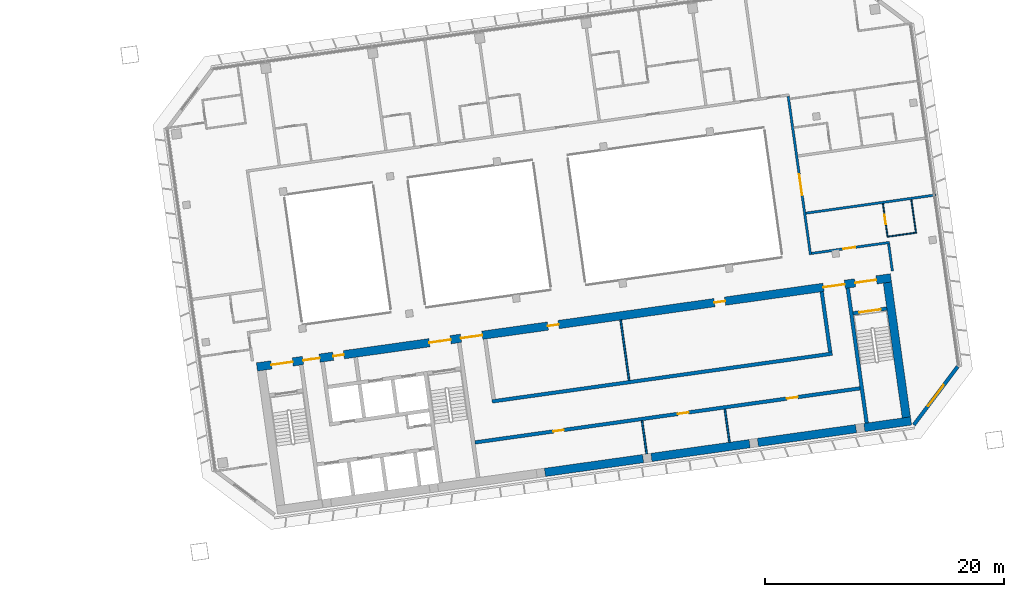
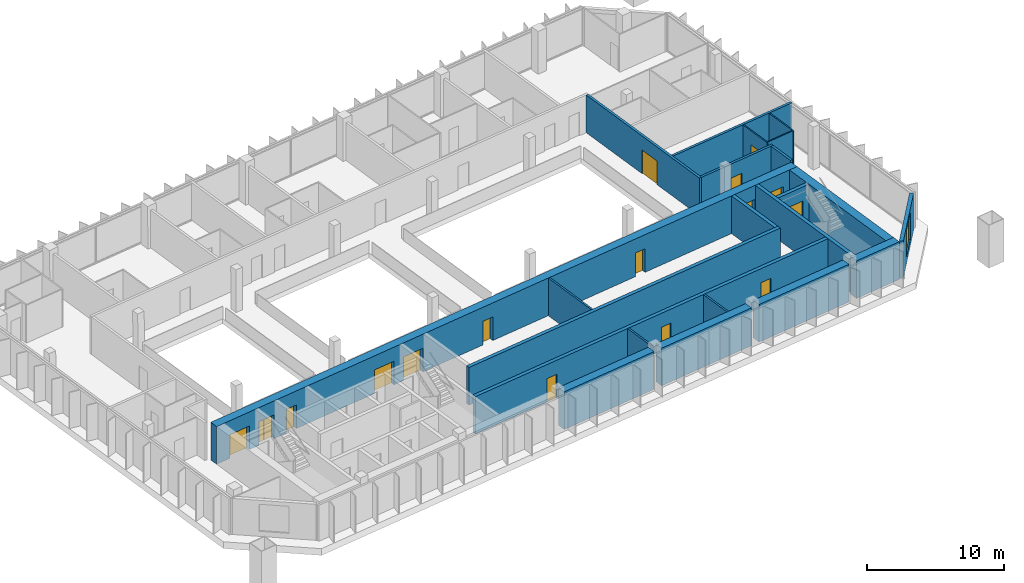
# One storey, part 20 of 26: 22 walls, 16 doors, 1 window, 17 openings.
"""IFC4 building model written with IfcOpenShell, lengths in metres."""

from ifc_helpers import new_model, si_unit, direction, frame, frame_2d, origin, place, context, subcontext, project, spatial, rectangle, extrude, material, layer, layer_set, type_object, element, fill, save


model = new_model("IFC4")

# Units and contexts
model_context = context("Model", 3, precision=1e-05, world=origin(), true_north=direction((0.0, 1.0)))
body_context = subcontext(model_context, "Body", "Model", "MODEL_VIEW")
ifc_project = project(units=[si_unit("LENGTHUNIT", "METRE"), si_unit("AREAUNIT", "SQUARE_METRE"), si_unit("VOLUMEUNIT", "CUBIC_METRE"), si_unit("PLANEANGLEUNIT", "RADIAN"), si_unit("MASSUNIT", "GRAM", prefix="KILO")], contexts=[model_context])

# Site, building, storey
site_placement = place(None, origin())
site = spatial("IfcSite", under=ifc_project, at=site_placement, CompositionType="ELEMENT")
building_placement = place(site_placement, origin())
building = spatial("IfcBuilding", under=site, at=building_placement, Name="Mirante Cascada Hotel Towers", CompositionType="ELEMENT")
storey_placement = place(building_placement, frame((0.0, 0.0, 161.2)))
storey = spatial("IfcBuildingStorey", under=building, at=storey_placement, Name="L37", CompositionType="ELEMENT", Elevation=161.2)

# Wall, opening, door
ifc_material_1 = material(Name="Fire-rated plasterboard on metal studs")
ifc_layer_1 = layer(ifc_material_1, 0.2)
ifc_layer_set_1 = layer_set([ifc_layer_1], Name="Compartment wall 200 EI 120")
wall_type_1 = type_object("IfcWallType", Name="Compartment wall 200 EI 120", PredefinedType="PARTITIONING", material=ifc_layer_set_1)
wall_1_placement = place(storey_placement, frame((81.9671, 1.8701, 0.0), z_axis=(0.0, 0.0, 1.0), x_axis=(0.990269, 0.1391661, 0.0)))
wall_1 = element("IfcWall", 1, at=wall_1_placement, inside=storey, type_object=wall_type_1, Name="Wall 2-L37-04", PredefinedType="PARTITIONING", context=body_context, shape_type="SweptSolid", body=[
    extrude(rectangle(XDim=6.6, YDim=0.2, at=frame_2d((3.3, 0.0))), origin(), (0.0, 0.0, 1.0), 3.35),
])
opening_1_placement = place(wall_1_placement, frame((2.7, 0.0, 0.0)))
opening_1 = element("IfcOpeningElement", 2, at=opening_1_placement, cuts=wall_1, Name="Opening D2-L37-03", PredefinedType="OPENING", context=body_context, shape_type="SweptSolid", body=[
    extrude(rectangle(XDim=1.0, YDim=2.1, at=frame_2d((0.5, 1.05))), frame((0.0, 0.1, 0.0), z_axis=(0.0, -1.0, 0.0), x_axis=(1.0, 0.0, 0.0)), (0.0, 0.0, 1.0), 0.2),
])
ifc_material_2 = material(Name="Fire-rated timber door leaf", Category="wood")
door_type_1 = type_object("IfcDoorType", Name="Entrance door DG1 1000x2100 EI 60", OperationType="SINGLE_SWING_LEFT", PredefinedType="DOOR", material=ifc_material_2)
door_1_placement = place(opening_1_placement, frame((1.0, 0.0, 0.0), z_axis=(0.0, 0.0, 1.0), x_axis=(-1.0, 0.0, 0.0)))
door_1 = element("IfcDoor", 3, at=door_1_placement, inside=storey, type_object=door_type_1, Name="Door D2-L37-03", OperationType="SINGLE_SWING_RIGHT", OverallHeight=2.1, OverallWidth=1.0, PredefinedType="DOOR", context=body_context, shape_type="SweptSolid", body=[
    extrude(rectangle(XDim=1.0, YDim=2.1, at=frame_2d((0.5, 1.05))), frame((0.0, 0.025, 0.0), z_axis=(0.0, -1.0, 0.0), x_axis=(1.0, 0.0, 0.0)), (0.0, 0.0, 1.0), 0.05),
])
fill(opening_1, door_1)

# Wall
wall_2_placement = place(storey_placement, frame((81.4939, 5.237, 0.0), z_axis=(0.0, 0.0, 1.0), x_axis=(0.9902682, 0.1391721, 0.0)))
element("IfcWall", 4, at=wall_2_placement, inside=storey, type_object=wall_type_1, Name="Wall 2-L37-08", PredefinedType="PARTITIONING", context=body_context, shape_type="SweptSolid", body=[
    extrude(rectangle(XDim=11.0001, YDim=0.2, at=frame_2d((5.5, 0.0))), origin(), (0.0, 0.0, 1.0), 3.35),
])

# Wall, opening, door
wall_3_placement = place(storey_placement, frame((80.0171, 15.0267, 0.0), z_axis=(0.0, 0.0, 1.0), x_axis=(0.1391716, -0.9902683, 0.0)))
wall_3 = element("IfcWall", 5, at=wall_3_placement, inside=storey, type_object=wall_type_1, Name="Wall 2-L37-45", PredefinedType="PARTITIONING", context=body_context, shape_type="SweptSolid", body=[
    extrude(rectangle(XDim=13.4, YDim=0.2, at=frame_2d((6.7, 0.0))), origin(), (0.0, 0.0, 1.0), 3.35),
])
opening_2_placement = place(wall_3_placement, frame((6.5834, 0.0, 0.0)))
opening_2 = element("IfcOpeningElement", 6, at=opening_2_placement, cuts=wall_3, Name="Opening D2-L37-26", PredefinedType="OPENING", context=body_context, shape_type="SweptSolid", body=[
    extrude(rectangle(XDim=1.8, YDim=2.1, at=frame_2d((0.9, 1.05))), frame((0.0, 0.1, 0.0), z_axis=(0.0, -1.0, 0.0), x_axis=(1.0, 0.0, 0.0)), (0.0, 0.0, 1.0), 0.2),
])
ifc_material_3 = material(Name="Fire-rated timber door leaf", Category="wood")
door_type_2 = type_object("IfcDoorType", Name="Suite double door DG2 1800x2100 EI 60", OperationType="DOUBLE_DOOR_SINGLE_SWING", PredefinedType="DOOR", material=ifc_material_3)
door_2_placement = place(opening_2_placement, origin())
door_2 = element("IfcDoor", 7, at=door_2_placement, inside=storey, type_object=door_type_2, Name="Door D2-L37-26", OperationType="DOUBLE_DOOR_SINGLE_SWING", OverallHeight=2.1, OverallWidth=1.8, PredefinedType="DOOR", context=body_context, shape_type="SweptSolid", body=[
    extrude(rectangle(XDim=0.895, YDim=2.1, at=frame_2d((0.4475, 1.05))), frame((0.0, 0.025, 0.0), z_axis=(0.0, -1.0, 0.0), x_axis=(1.0, 0.0, 0.0)), (0.0, 0.0, 1.0), 0.05),
    extrude(rectangle(XDim=0.895, YDim=2.1, at=frame_2d((1.3525, 1.05))), frame((0.0, 0.025, 0.0), z_axis=(0.0, -1.0, 0.0), x_axis=(1.0, 0.0, 0.0)), (0.0, 0.0, 1.0), 0.05),
])
fill(opening_2, door_2)

# Walls
wall_4_placement = place(storey_placement, frame((88.7379, 0.3981, 0.0), z_axis=(0.0, 0.0, 1.0), x_axis=(-0.1391749, 0.9902678, 0.0)))
element("IfcWall", 8, at=wall_4_placement, inside=storey, type_object=wall_type_1, Name="Wall 2-L37-48", PredefinedType="PARTITIONING", context=body_context, shape_type="SweptSolid", body=[
    extrude(rectangle(XDim=2.3, YDim=0.2, at=frame_2d((1.15, 0.0))), origin(), (0.0, 0.0, 1.0), 3.35),
])
ifc_material_4 = material(Name="Masonry block", Category="masonry")
ifc_layer_2 = layer(ifc_material_4, 0.15)
ifc_layer_set_2 = layer_set([ifc_layer_2], Name="Core room partition 150 block EI 30")
wall_type_2 = type_object("IfcWallType", Name="Core room partition 150 block EI 30", PredefinedType="PARTITIONING", material=ifc_layer_set_2)
for number, where, z_axis, x_axis, name in (
    (9, (68.1687, -14.9136, 0.0), (0.0, 0.0, 1.0), (-0.139181, 0.990267, 0.0), "Core wall partition T2 L37 5"),
    (10, (75.1006, -13.9394, 0.0), (0.0, 0.0, 1.0), (-0.139181, 0.990267, 0.0), "Core wall partition T2 L37 6"),
):
    element("IfcWall", number, at=place(storey_placement, frame(where, z_axis=z_axis, x_axis=x_axis)), inside=storey, type_object=wall_type_2, Name=name, PredefinedType="PARTITIONING", context=body_context, shape_type="SweptSolid", body=[
        extrude(rectangle(XDim=2.8, YDim=0.15, at=frame_2d((1.4, 0.0))), origin(), (0.0, 0.0, 1.0), 3.35),
    ])
wall_5_placement = place(storey_placement, frame((66.6977, -8.7584, 0.0), z_axis=(0.0, 0.0, 1.0), x_axis=(-0.1391782, 0.9902673, 0.0)))
element("IfcWall", 11, at=wall_5_placement, inside=storey, type_object=wall_type_2, Name="Core wall partition T2 L37 7", PredefinedType="PARTITIONING", context=body_context, shape_type="SweptSolid", body=[
    extrude(rectangle(XDim=5.0999, YDim=0.15, at=frame_2d((2.55, 0.0))), origin(), (0.0, 0.0, 1.0), 3.35),
])

# Wall, openings, doors
ifc_material_5 = material(Name="Masonry block", Category="masonry")
ifc_layer_3 = layer(ifc_material_5, 0.3)
ifc_layer_set_3 = layer_set([ifc_layer_3], Name="Core wall 300 block EI 120")
wall_type_3 = type_object("IfcWallType", Name="Core wall 300 block EI 120", PredefinedType="PARTITIONING", material=ifc_layer_set_3)
wall_6_placement = place(storey_placement, frame((53.7953, -13.9547, 0.0), z_axis=(0.0, 0.0, 1.0), x_axis=(0.990268, 0.1391733, 0.0)))
wall_6 = element("IfcWall", 12, at=wall_6_placement, inside=storey, type_object=wall_type_3, Name="Core wall partition T2 L37 4", PredefinedType="PARTITIONING", context=body_context, shape_type="SweptSolid", body=[
    extrude(rectangle(XDim=32.5501, YDim=0.3, at=frame_2d((16.275, 0.0))), origin(), (0.0, 0.0, 1.0), 3.35),
])
opening_3_placement = place(wall_6_placement, frame((6.6, 0.0, 0.0)))
opening_3 = element("IfcOpeningElement", 13, at=opening_3_placement, cuts=wall_6, Name="Opening D2-37-C19", PredefinedType="OPENING", context=body_context, shape_type="SweptSolid", body=[
    extrude(rectangle(XDim=0.9, YDim=2.1, at=frame_2d((0.45, 1.05))), frame((0.0, 0.15, 0.0), z_axis=(0.0, -1.0, 0.0), x_axis=(1.0, 0.0, 0.0)), (0.0, 0.0, 1.0), 0.3),
])
opening_4_placement = place(wall_6_placement, frame((17.15, 0.0, 0.0)))
opening_4 = element("IfcOpeningElement", 14, at=opening_4_placement, cuts=wall_6, Name="Opening D2-37-C20", PredefinedType="OPENING", context=body_context, shape_type="SweptSolid", body=[
    extrude(rectangle(XDim=0.9, YDim=2.1, at=frame_2d((0.45, 1.05))), frame((0.0, 0.15, 0.0), z_axis=(0.0, -1.0, 0.0), x_axis=(1.0, 0.0, 0.0)), (0.0, 0.0, 1.0), 0.3),
])
opening_5_placement = place(wall_6_placement, frame((26.375, 0.0, 0.0)))
opening_5 = element("IfcOpeningElement", 15, at=opening_5_placement, cuts=wall_6, Name="Opening D2-37-C21", PredefinedType="OPENING", context=body_context, shape_type="SweptSolid", body=[
    extrude(rectangle(XDim=0.9, YDim=2.1, at=frame_2d((0.45, 1.05))), frame((0.0, 0.15, 0.0), z_axis=(0.0, -1.0, 0.0), x_axis=(1.0, 0.0, 0.0)), (0.0, 0.0, 1.0), 0.3),
])
ifc_material_6 = material(Name="Hollow metal fire door leaf")
door_type_3 = type_object("IfcDoorType", Name="Fire door 900x2100 FD60", OperationType="NOTDEFINED", PredefinedType="DOOR", material=ifc_material_6)
door_3_placement = place(opening_3_placement, frame((0.9, 0.0, 0.0), z_axis=(0.0, 0.0, 1.0), x_axis=(-1.0, 0.0, 0.0)))
door_3 = element("IfcDoor", 16, at=door_3_placement, inside=storey, type_object=door_type_3, Name="Room door T2 L37 19", OperationType="SINGLE_SWING_LEFT", OverallHeight=2.1, OverallWidth=0.9, PredefinedType="DOOR", context=body_context, shape_type="SweptSolid", body=[
    extrude(rectangle(XDim=0.9, YDim=2.1, at=frame_2d((0.45, 1.05))), frame((0.0, 0.025, 0.0), z_axis=(0.0, -1.0, 0.0), x_axis=(1.0, 0.0, 0.0)), (0.0, 0.0, 1.0), 0.05),
])
fill(opening_3, door_3)
door_4_placement = place(opening_4_placement, frame((0.9, 0.0, 0.0), z_axis=(0.0, 0.0, 1.0), x_axis=(-1.0, 0.0, 0.0)))
door_4 = element("IfcDoor", 17, at=door_4_placement, inside=storey, type_object=door_type_3, Name="Room door T2 L37 20", OperationType="SINGLE_SWING_RIGHT", OverallHeight=2.1, OverallWidth=0.9, PredefinedType="DOOR", context=body_context, shape_type="SweptSolid", body=[
    extrude(rectangle(XDim=0.9, YDim=2.1, at=frame_2d((0.45, 1.05))), frame((0.0, 0.025, 0.0), z_axis=(0.0, -1.0, 0.0), x_axis=(1.0, 0.0, 0.0)), (0.0, 0.0, 1.0), 0.05),
])
fill(opening_4, door_4)
door_5_placement = place(opening_5_placement, frame((0.9, 0.0, 0.0), z_axis=(0.0, 0.0, 1.0), x_axis=(-1.0, 0.0, 0.0)))
door_5 = element("IfcDoor", 18, at=door_5_placement, inside=storey, type_object=door_type_3, Name="Room door T2 L37 21", OperationType="SINGLE_SWING_RIGHT", OverallHeight=2.1, OverallWidth=0.9, PredefinedType="DOOR", context=body_context, shape_type="SweptSolid", body=[
    extrude(rectangle(XDim=0.9, YDim=2.1, at=frame_2d((0.45, 1.05))), frame((0.0, 0.025, 0.0), z_axis=(0.0, -1.0, 0.0), x_axis=(1.0, 0.0, 0.0)), (0.0, 0.0, 1.0), 0.05),
])
fill(opening_5, door_5)

# Wall
ifc_material_7 = material(Name="Plasterboard on metal studs")
ifc_layer_4 = layer(ifc_material_7, 0.1)
ifc_layer_set_4 = layer_set([ifc_layer_4], Name="Partition 100")
wall_type_4 = type_object("IfcWallType", Name="Partition 100", PredefinedType="PARTITIONING", material=ifc_layer_set_4)
wall_7_placement = place(storey_placement, frame((90.6614, 3.5969, 0.0), z_axis=(0.0, 0.0, 1.0), x_axis=(-0.9902678, -0.1391749, 0.0)))
element("IfcWall", 19, at=wall_7_placement, inside=storey, type_object=wall_type_4, Name="Wall 2-L37-05", PredefinedType="PARTITIONING", context=body_context, shape_type="SweptSolid", body=[
    extrude(rectangle(XDim=2.3, YDim=0.1, at=frame_2d((1.15, 0.0))), origin(), (0.0, 0.0, 1.0), 3.35),
])

# Wall, opening, door
wall_8_placement = place(storey_placement, frame((87.9446, 6.0426, 0.0), z_axis=(0.0, 0.0, 1.0), x_axis=(0.1391564, -0.9902704, 0.0)))
wall_8 = element("IfcWall", 20, at=wall_8_placement, inside=storey, type_object=wall_type_4, Name="Wall 2-L37-49", PredefinedType="PARTITIONING", context=body_context, shape_type="SweptSolid", body=[
    extrude(rectangle(XDim=2.85, YDim=0.1, at=frame_2d((1.425, 0.0))), origin(), (0.0, 0.0, 1.0), 3.35),
])
opening_6_placement = place(wall_8_placement, frame((0.95, 0.0, 0.0)))
opening_6 = element("IfcOpeningElement", 21, at=opening_6_placement, cuts=wall_8, Name="Opening D2-L37-28", PredefinedType="OPENING", context=body_context, shape_type="SweptSolid", body=[
    extrude(rectangle(XDim=0.8, YDim=2.1, at=frame_2d((0.4, 1.05))), frame((0.0, 0.05, 0.0), z_axis=(0.0, -1.0, 0.0), x_axis=(1.0, 0.0, 0.0)), (0.0, 0.0, 1.0), 0.1),
])
ifc_material_8 = material(Name="Timber door leaf", Category="wood")
door_type_4 = type_object("IfcDoorType", Name="Bathroom door DG4 800x2100", OperationType="SINGLE_SWING_LEFT", PredefinedType="DOOR", material=ifc_material_8)
door_6_placement = place(opening_6_placement, origin())
door_6 = element("IfcDoor", 22, at=door_6_placement, inside=storey, type_object=door_type_4, Name="Door D2-L37-28", OperationType="SINGLE_SWING_LEFT", OverallHeight=2.1, OverallWidth=0.8, PredefinedType="DOOR", context=body_context, shape_type="SweptSolid", body=[
    extrude(rectangle(XDim=0.8, YDim=2.1, at=frame_2d((0.4, 1.05))), frame((0.0, 0.025, 0.0), z_axis=(0.0, -1.0, 0.0), x_axis=(1.0, 0.0, 0.0)), (0.0, 0.0, 1.0), 0.05),
])
fill(opening_6, door_6)

# Wall
wall_9_placement = place(storey_placement, frame((90.7179, 3.5544, 0.0), z_axis=(0.0, 0.0, 1.0), x_axis=(-0.1391957, 0.9902649, 0.0)))
element("IfcWall", 23, at=wall_9_placement, inside=storey, type_object=wall_type_4, Name="Wall 2-L37-52", PredefinedType="PARTITIONING", context=body_context, shape_type="SweptSolid", body=[
    extrude(rectangle(XDim=2.8499, YDim=0.1, at=frame_2d((1.425, 0.0))), origin(), (0.0, 0.0, 1.0), 3.35),
])

# Wall, opening, window
ifc_material_9 = material(Name="Precast concrete C40/50", Category="concrete")
ifc_layer_5 = layer(ifc_material_9, 0.3)
ifc_layer_set_5 = layer_set([ifc_layer_5], Name="Precast concrete C40/50 cladding wall 300")
wall_type_5 = type_object("IfcWallType", Name="Precast concrete C40/50 cladding wall 300", PredefinedType="STANDARD", material=ifc_layer_set_5)
wall_10_placement = place(storey_placement, frame((90.5299, -12.4841, 0.0), z_axis=(0.0, 0.0, 1.0), x_axis=(0.6018063, 0.7986421, 0.0)))
wall_10 = element("IfcWall", 24, at=wall_10_placement, inside=storey, type_object=wall_type_5, Name="Corner cladding wall T2 L37 rear outer", PredefinedType="STANDARD", context=body_context, shape_type="SweptSolid", body=[
    extrude(rectangle(XDim=6.1158, YDim=0.3, at=frame_2d((3.0579, 0.0))), origin(), (0.0, 0.0, 1.0), 3.35),
])
opening_7_placement = place(wall_10_placement, frame((1.9578, 0.0, 0.6)))
opening_7 = element("IfcOpeningElement", 25, at=opening_7_placement, cuts=wall_10, Name="Opening W2-37-01", PredefinedType="OPENING", context=body_context, shape_type="SweptSolid", body=[
    extrude(rectangle(XDim=2.2, YDim=2.4, at=frame_2d((1.1, 1.2))), frame((0.0, 0.15, 0.0), z_axis=(0.0, -1.0, 0.0), x_axis=(1.0, 0.0, 0.0)), (0.0, 0.0, 1.0), 0.3),
])
ifc_material_10 = material(Name="Aluminium frame with clear double glazing", Category="aluminium")
window_type = type_object("IfcWindowType", Name="Corner suite window 2200x2400", PartitioningType="DOUBLE_PANEL_VERTICAL", PredefinedType="WINDOW", material=ifc_material_10)
window_placement = place(opening_7_placement, origin())
window = element("IfcWindow", 26, at=window_placement, inside=storey, type_object=window_type, Name="Window W2-37-01", OverallHeight=2.4, OverallWidth=2.2, PartitioningType="SINGLE_PANEL", PredefinedType="WINDOW", context=body_context, shape_type="SweptSolid", body=[
    extrude(rectangle(XDim=2.2, YDim=2.4, at=frame_2d((1.1, 1.2))), frame((0.0, 0.03, 0.0), z_axis=(0.0, -1.0, 0.0), x_axis=(1.0, 0.0, 0.0)), (0.0, 0.0, 1.0), 0.06),
])
fill(opening_7, window)

# Wall
ifc_material_11 = material(Name="Concrete C50/60", Category="concrete")
ifc_layer_6 = layer(ifc_material_11, 0.3)
ifc_layer_set_6 = layer_set([ifc_layer_6], Name="RC core wall 300 C50/60")
wall_type_6 = type_object("IfcWallType", Name="RC core wall 300 C50/60", PredefinedType="SHEAR", material=ifc_layer_set_6)
wall_11_placement = place(storey_placement, frame((86.5877, -12.325, 0.0), z_axis=(0.0, 0.0, 1.0), x_axis=(-0.1391749, 0.9902678, 0.0)))
element("IfcWall", 27, at=wall_11_placement, inside=storey, type_object=wall_type_6, Name="Core wall T2:L37:8", PredefinedType="SHEAR", context=body_context, shape_type="SweptSolid", body=[
    extrude(rectangle(XDim=11.4, YDim=0.3, at=frame_2d((5.7, 0.0))), origin(), (0.0, 0.0, 1.0), 3.35),
])

# Wall, opening, door
wall_12_placement = place(storey_placement, frame((85.4489, -3.1441, 0.0), z_axis=(0.0, 0.0, 1.0), x_axis=(0.9902697, 0.1391613, 0.0)))
wall_12 = element("IfcWall", 28, at=wall_12_placement, inside=storey, type_object=wall_type_6, Name="Core wall T2:L37:11", PredefinedType="SHEAR", context=body_context, shape_type="SweptSolid", body=[
    extrude(rectangle(XDim=2.8499, YDim=0.3, at=frame_2d((1.425, 0.0))), origin(), (0.0, 0.0, 1.0), 3.35),
])
opening_8_placement = place(wall_12_placement, frame((0.525, 0.0, 0.0)))
opening_8 = element("IfcOpeningElement", 29, at=opening_8_placement, cuts=wall_12, Name="Opening D2-37-C11", PredefinedType="OPENING", context=body_context, shape_type="SweptSolid", body=[
    extrude(rectangle(XDim=1.8, YDim=2.1, at=frame_2d((0.9, 1.05))), frame((0.0, 0.15, 0.0), z_axis=(0.0, -1.0, 0.0), x_axis=(1.0, 0.0, 0.0)), (0.0, 0.0, 1.0), 0.3),
])
ifc_material_12 = material(Name="Hollow metal fire door leaf")
door_type_5 = type_object("IfcDoorType", Name="Double fire door 1800x2100 FD60", OperationType="DOUBLE_DOOR_SINGLE_SWING", PredefinedType="DOOR", material=ifc_material_12)
door_7_placement = place(opening_8_placement, frame((1.8, 0.0, 0.0), z_axis=(0.0, 0.0, 1.0), x_axis=(-1.0, 0.0, 0.0)))
door_7 = element("IfcDoor", 30, at=door_7_placement, inside=storey, type_object=door_type_5, Name="Stair door T2 L37 11", OperationType="DOUBLE_DOOR_SINGLE_SWING", OverallHeight=2.1, OverallWidth=1.8, PredefinedType="DOOR", context=body_context, shape_type="SweptSolid", body=[
    extrude(rectangle(XDim=0.895, YDim=2.1, at=frame_2d((0.4475, 1.05))), frame((0.0, 0.025, 0.0), z_axis=(0.0, -1.0, 0.0), x_axis=(1.0, 0.0, 0.0)), (0.0, 0.0, 1.0), 0.05),
    extrude(rectangle(XDim=0.895, YDim=2.1, at=frame_2d((1.3525, 1.05))), frame((0.0, 0.025, 0.0), z_axis=(0.0, -1.0, 0.0), x_axis=(1.0, 0.0, 0.0)), (0.0, 0.0, 1.0), 0.05),
])
fill(opening_8, door_7)

# Walls
wall_13_placement = place(storey_placement, frame((55.2315, -10.5214, 0.0), z_axis=(0.0, 0.0, 1.0), x_axis=(0.9902682, 0.1391722, 0.0)))
element("IfcWall", 31, at=wall_13_placement, inside=storey, type_object=wall_type_6, Name="Core wall T2:L37:27", PredefinedType="SHEAR", context=body_context, shape_type="SweptSolid", body=[
    extrude(rectangle(XDim=28.75, YDim=0.3, at=frame_2d((14.375, 0.0))), origin(), (0.0, 0.0, 1.0), 3.35),
])
wall_14_placement = place(storey_placement, frame((83.5323, -6.3925, 0.0), z_axis=(0.0, 0.0, 1.0), x_axis=(-0.1391755, 0.9902677, 0.0)))
element("IfcWall", 32, at=wall_14_placement, inside=storey, type_object=wall_type_6, Name="Core wall T2:L37:29", PredefinedType="SHEAR", context=body_context, shape_type="SweptSolid", body=[
    extrude(rectangle(XDim=5.1, YDim=0.3, at=frame_2d((2.55, 0.0))), origin(), (0.0, 0.0, 1.0), 3.35),
])
ifc_material_13 = material(Name="Concrete C50/60", Category="concrete")
ifc_layer_7 = layer(ifc_material_13, 0.7)
ifc_layer_set_7 = layer_set([ifc_layer_7], Name="RC core wall 700 C50/60")
wall_type_7 = type_object("IfcWallType", Name="RC core wall 700 C50/60", PredefinedType="SHEAR", material=ifc_layer_set_7)
for number, where, z_axis, x_axis, name in (
    (33, (59.6516, -16.4641, 0.0), (0.0, 0.0, 1.0), (0.990267, 0.139181, 0.0), "Core wall T2:L37:1.4"),
    (34, (68.564, -15.2115, 0.0), (0.0, 0.0, 1.0), (0.9902686, 0.1391692, 0.0), "Core wall T2:L37:1.5"),
    (35, (77.4764, -13.9589, 0.0), (0.0, 0.0, 1.0), (0.9902686, 0.1391692, 0.0), "Core wall T2:L37:1.6"),
):
    element("IfcWall", number, at=place(storey_placement, frame(where, z_axis=z_axis, x_axis=x_axis)), inside=storey, type_object=wall_type_7, Name=name, PredefinedType="SHEAR", context=body_context, shape_type="SweptSolid", body=[
        extrude(rectangle(XDim=8.3, YDim=0.7, at=frame_2d((4.15, 0.0))), origin(), (0.0, 0.0, 1.0), 3.35),
    ])
wall_15_placement = place(storey_placement, frame((86.3888, -12.7064, 0.0), z_axis=(0.0, 0.0, 1.0), x_axis=(0.9902694, 0.1391633, 0.0)))
element("IfcWall", 36, at=wall_15_placement, inside=storey, type_object=wall_type_7, Name="Core wall T2:L37:1.7", PredefinedType="SHEAR", context=body_context, shape_type="SweptSolid", body=[
    extrude(rectangle(XDim=3.95, YDim=0.7, at=frame_2d((1.975, 0.0))), origin(), (0.0, 0.0, 1.0), 3.35),
])

# Wall, openings, doors
wall_16_placement = place(storey_placement, frame((35.538, -7.6341, 0.0), z_axis=(0.0, 0.0, 1.0), x_axis=(0.990268, 0.1391734, 0.0)))
wall_16 = element("IfcWall", 37, at=wall_16_placement, inside=storey, type_object=wall_type_7, Name="Core wall T2:L37:2", PredefinedType="SHEAR", context=body_context, shape_type="SweptSolid", body=[
    extrude(rectangle(XDim=53.6, YDim=0.7, at=frame_2d((26.8, 0.0))), origin(), (0.0, 0.0, 1.0), 3.35),
])
opening_9_placement = place(wall_16_placement, frame((1.225, 0.0, 0.0)))
opening_9 = element("IfcOpeningElement", 38, at=opening_9_placement, cuts=wall_16, Name="Opening D2-37-C08", PredefinedType="OPENING", context=body_context, shape_type="SweptSolid", body=[
    extrude(rectangle(XDim=1.8, YDim=2.1, at=frame_2d((0.9, 1.05))), frame((0.0, 0.35, 0.0), z_axis=(0.0, -1.0, 0.0), x_axis=(1.0, 0.0, 0.0)), (0.0, 0.0, 1.0), 0.7),
])
opening_10_placement = place(wall_16_placement, frame((14.575, 0.0, 0.0)))
opening_10 = element("IfcOpeningElement", 39, at=opening_10_placement, cuts=wall_16, Name="Opening D2-37-C10", PredefinedType="OPENING", context=body_context, shape_type="SweptSolid", body=[
    extrude(rectangle(XDim=1.8, YDim=2.1, at=frame_2d((0.9, 1.05))), frame((0.0, 0.35, 0.0), z_axis=(0.0, -1.0, 0.0), x_axis=(1.0, 0.0, 0.0)), (0.0, 0.0, 1.0), 0.7),
])
opening_11_placement = place(wall_16_placement, frame((50.575, 0.0, 0.0)))
opening_11 = element("IfcOpeningElement", 40, at=opening_11_placement, cuts=wall_16, Name="Opening D2-37-C12", PredefinedType="OPENING", context=body_context, shape_type="SweptSolid", body=[
    extrude(rectangle(XDim=1.8, YDim=2.1, at=frame_2d((0.9, 1.05))), frame((0.0, 0.35, 0.0), z_axis=(0.0, -1.0, 0.0), x_axis=(1.0, 0.0, 0.0)), (0.0, 0.0, 1.0), 0.7),
])
opening_12_placement = place(wall_16_placement, frame((3.9, 0.0, 0.0)))
opening_12 = element("IfcOpeningElement", 41, at=opening_12_placement, cuts=wall_16, Name="Opening D2-37-C13", PredefinedType="OPENING", context=body_context, shape_type="SweptSolid", body=[
    extrude(rectangle(XDim=1.4, YDim=2.1, at=frame_2d((0.7, 1.05))), frame((0.0, 0.35, 0.0), z_axis=(0.0, -1.0, 0.0), x_axis=(1.0, 0.0, 0.0)), (0.0, 0.0, 1.0), 0.7),
])
opening_13_placement = place(wall_16_placement, frame((17.25, 0.0, 0.0)))
opening_13 = element("IfcOpeningElement", 42, at=opening_13_placement, cuts=wall_16, Name="Opening D2-37-C14", PredefinedType="OPENING", context=body_context, shape_type="SweptSolid", body=[
    extrude(rectangle(XDim=1.8, YDim=2.1, at=frame_2d((0.9, 1.05))), frame((0.0, 0.35, 0.0), z_axis=(0.0, -1.0, 0.0), x_axis=(1.0, 0.0, 0.0)), (0.0, 0.0, 1.0), 0.7),
])
opening_14_placement = place(wall_16_placement, frame((47.9, 0.0, 0.0)))
opening_14 = element("IfcOpeningElement", 43, at=opening_14_placement, cuts=wall_16, Name="Opening D2-37-C15", PredefinedType="OPENING", context=body_context, shape_type="SweptSolid", body=[
    extrude(rectangle(XDim=1.8, YDim=2.1, at=frame_2d((0.9, 1.05))), frame((0.0, 0.35, 0.0), z_axis=(0.0, -1.0, 0.0), x_axis=(1.0, 0.0, 0.0)), (0.0, 0.0, 1.0), 0.7),
])
opening_15_placement = place(wall_16_placement, frame((6.45, 0.0, 0.0)))
opening_15 = element("IfcOpeningElement", 44, at=opening_15_placement, cuts=wall_16, Name="Opening D2-37-C18", PredefinedType="OPENING", context=body_context, shape_type="SweptSolid", body=[
    extrude(rectangle(XDim=0.9, YDim=2.1, at=frame_2d((0.45, 1.05))), frame((0.0, 0.35, 0.0), z_axis=(0.0, -1.0, 0.0), x_axis=(1.0, 0.0, 0.0)), (0.0, 0.0, 1.0), 0.7),
])
opening_16_placement = place(wall_16_placement, frame((24.6, 0.0, 0.0)))
opening_16 = element("IfcOpeningElement", 45, at=opening_16_placement, cuts=wall_16, Name="Opening D2-37-C22", PredefinedType="OPENING", context=body_context, shape_type="SweptSolid", body=[
    extrude(rectangle(XDim=0.9, YDim=2.1, at=frame_2d((0.45, 1.05))), frame((0.0, 0.35, 0.0), z_axis=(0.0, -1.0, 0.0), x_axis=(1.0, 0.0, 0.0)), (0.0, 0.0, 1.0), 0.7),
])
opening_17_placement = place(wall_16_placement, frame((38.675, 0.0, 0.0)))
opening_17 = element("IfcOpeningElement", 46, at=opening_17_placement, cuts=wall_16, Name="Opening D2-37-C23", PredefinedType="OPENING", context=body_context, shape_type="SweptSolid", body=[
    extrude(rectangle(XDim=0.9, YDim=2.1, at=frame_2d((0.45, 1.05))), frame((0.0, 0.35, 0.0), z_axis=(0.0, -1.0, 0.0), x_axis=(1.0, 0.0, 0.0)), (0.0, 0.0, 1.0), 0.7),
])
ifc_material_14 = material(Name="Hollow metal fire door leaf")
door_type_6 = type_object("IfcDoorType", Name="Double fire door 1400x2100 FD60", OperationType="DOUBLE_DOOR_SINGLE_SWING", PredefinedType="DOOR", material=ifc_material_14)
door_8_placement = place(opening_12_placement, origin())
door_8 = element("IfcDoor", 47, at=door_8_placement, inside=storey, type_object=door_type_6, Name="Exit door to gallery T2 L37 13", OperationType="DOUBLE_DOOR_SINGLE_SWING", OverallHeight=2.1, OverallWidth=1.4, PredefinedType="DOOR", context=body_context, shape_type="SweptSolid", body=[
    extrude(rectangle(XDim=0.695, YDim=2.1, at=frame_2d((0.3475, 1.05))), frame((0.0, 0.025, 0.0), z_axis=(0.0, -1.0, 0.0), x_axis=(1.0, 0.0, 0.0)), (0.0, 0.0, 1.0), 0.05),
    extrude(rectangle(XDim=0.695, YDim=2.1, at=frame_2d((1.0525, 1.05))), frame((0.0, 0.025, 0.0), z_axis=(0.0, -1.0, 0.0), x_axis=(1.0, 0.0, 0.0)), (0.0, 0.0, 1.0), 0.05),
])
fill(opening_12, door_8)
door_9_placement = place(opening_9_placement, frame((1.8, 0.0, 0.0), z_axis=(0.0, 0.0, 1.0), x_axis=(-1.0, 0.0, 0.0)))
door_9 = element("IfcDoor", 48, at=door_9_placement, inside=storey, type_object=door_type_5, Name="Exit door to gallery T2 L37 8", OperationType="DOUBLE_DOOR_SINGLE_SWING", OverallHeight=2.1, OverallWidth=1.8, PredefinedType="DOOR", context=body_context, shape_type="SweptSolid", body=[
    extrude(rectangle(XDim=0.895, YDim=2.1, at=frame_2d((0.4475, 1.05))), frame((0.0, 0.025, 0.0), z_axis=(0.0, -1.0, 0.0), x_axis=(1.0, 0.0, 0.0)), (0.0, 0.0, 1.0), 0.05),
    extrude(rectangle(XDim=0.895, YDim=2.1, at=frame_2d((1.3525, 1.05))), frame((0.0, 0.025, 0.0), z_axis=(0.0, -1.0, 0.0), x_axis=(1.0, 0.0, 0.0)), (0.0, 0.0, 1.0), 0.05),
])
fill(opening_9, door_9)
door_10_placement = place(opening_10_placement, frame((1.8, 0.0, 0.0), z_axis=(0.0, 0.0, 1.0), x_axis=(-1.0, 0.0, 0.0)))
door_10 = element("IfcDoor", 49, at=door_10_placement, inside=storey, type_object=door_type_5, Name="Exit door to gallery T2 L37 10", OperationType="DOUBLE_DOOR_SINGLE_SWING", OverallHeight=2.1, OverallWidth=1.8, PredefinedType="DOOR", context=body_context, shape_type="SweptSolid", body=[
    extrude(rectangle(XDim=0.895, YDim=2.1, at=frame_2d((0.4475, 1.05))), frame((0.0, 0.025, 0.0), z_axis=(0.0, -1.0, 0.0), x_axis=(1.0, 0.0, 0.0)), (0.0, 0.0, 1.0), 0.05),
    extrude(rectangle(XDim=0.895, YDim=2.1, at=frame_2d((1.3525, 1.05))), frame((0.0, 0.025, 0.0), z_axis=(0.0, -1.0, 0.0), x_axis=(1.0, 0.0, 0.0)), (0.0, 0.0, 1.0), 0.05),
])
fill(opening_10, door_10)
door_11_placement = place(opening_11_placement, frame((1.8, 0.0, 0.0), z_axis=(0.0, 0.0, 1.0), x_axis=(-1.0, 0.0, 0.0)))
door_11 = element("IfcDoor", 50, at=door_11_placement, inside=storey, type_object=door_type_5, Name="Exit door to gallery T2 L37 12", OperationType="DOUBLE_DOOR_SINGLE_SWING", OverallHeight=2.1, OverallWidth=1.8, PredefinedType="DOOR", context=body_context, shape_type="SweptSolid", body=[
    extrude(rectangle(XDim=0.895, YDim=2.1, at=frame_2d((0.4475, 1.05))), frame((0.0, 0.025, 0.0), z_axis=(0.0, -1.0, 0.0), x_axis=(1.0, 0.0, 0.0)), (0.0, 0.0, 1.0), 0.05),
    extrude(rectangle(XDim=0.895, YDim=2.1, at=frame_2d((1.3525, 1.05))), frame((0.0, 0.025, 0.0), z_axis=(0.0, -1.0, 0.0), x_axis=(1.0, 0.0, 0.0)), (0.0, 0.0, 1.0), 0.05),
])
fill(opening_11, door_11)
door_12_placement = place(opening_13_placement, origin())
door_12 = element("IfcDoor", 51, at=door_12_placement, inside=storey, type_object=door_type_5, Name="Exit door to gallery T2 L37 14", OperationType="DOUBLE_DOOR_SINGLE_SWING", OverallHeight=2.1, OverallWidth=1.8, PredefinedType="DOOR", context=body_context, shape_type="SweptSolid", body=[
    extrude(rectangle(XDim=0.895, YDim=2.1, at=frame_2d((0.4475, 1.05))), frame((0.0, 0.025, 0.0), z_axis=(0.0, -1.0, 0.0), x_axis=(1.0, 0.0, 0.0)), (0.0, 0.0, 1.0), 0.05),
    extrude(rectangle(XDim=0.895, YDim=2.1, at=frame_2d((1.3525, 1.05))), frame((0.0, 0.025, 0.0), z_axis=(0.0, -1.0, 0.0), x_axis=(1.0, 0.0, 0.0)), (0.0, 0.0, 1.0), 0.05),
])
fill(opening_13, door_12)
door_13_placement = place(opening_14_placement, origin())
door_13 = element("IfcDoor", 52, at=door_13_placement, inside=storey, type_object=door_type_5, Name="Exit door to gallery T2 L37 15", OperationType="DOUBLE_DOOR_SINGLE_SWING", OverallHeight=2.1, OverallWidth=1.8, PredefinedType="DOOR", context=body_context, shape_type="SweptSolid", body=[
    extrude(rectangle(XDim=0.895, YDim=2.1, at=frame_2d((0.4475, 1.05))), frame((0.0, 0.025, 0.0), z_axis=(0.0, -1.0, 0.0), x_axis=(1.0, 0.0, 0.0)), (0.0, 0.0, 1.0), 0.05),
    extrude(rectangle(XDim=0.895, YDim=2.1, at=frame_2d((1.3525, 1.05))), frame((0.0, 0.025, 0.0), z_axis=(0.0, -1.0, 0.0), x_axis=(1.0, 0.0, 0.0)), (0.0, 0.0, 1.0), 0.05),
])
fill(opening_14, door_13)
door_14_placement = place(opening_15_placement, frame((0.9, 0.0, 0.0), z_axis=(0.0, 0.0, 1.0), x_axis=(-1.0, 0.0, 0.0)))
door_14 = element("IfcDoor", 53, at=door_14_placement, inside=storey, type_object=door_type_3, Name="Room door T2 L37 18", OperationType="SINGLE_SWING_LEFT", OverallHeight=2.1, OverallWidth=0.9, PredefinedType="DOOR", context=body_context, shape_type="SweptSolid", body=[
    extrude(rectangle(XDim=0.9, YDim=2.1, at=frame_2d((0.45, 1.05))), frame((0.0, 0.025, 0.0), z_axis=(0.0, -1.0, 0.0), x_axis=(1.0, 0.0, 0.0)), (0.0, 0.0, 1.0), 0.05),
])
fill(opening_15, door_14)
door_15_placement = place(opening_16_placement, frame((0.9, 0.0, 0.0), z_axis=(0.0, 0.0, 1.0), x_axis=(-1.0, 0.0, 0.0)))
door_15 = element("IfcDoor", 54, at=door_15_placement, inside=storey, type_object=door_type_3, Name="Room door T2 L37 22", OperationType="SINGLE_SWING_LEFT", OverallHeight=2.1, OverallWidth=0.9, PredefinedType="DOOR", context=body_context, shape_type="SweptSolid", body=[
    extrude(rectangle(XDim=0.9, YDim=2.1, at=frame_2d((0.45, 1.05))), frame((0.0, 0.025, 0.0), z_axis=(0.0, -1.0, 0.0), x_axis=(1.0, 0.0, 0.0)), (0.0, 0.0, 1.0), 0.05),
])
fill(opening_16, door_15)
door_16_placement = place(opening_17_placement, frame((0.9, 0.0, 0.0), z_axis=(0.0, 0.0, 1.0), x_axis=(-1.0, 0.0, 0.0)))
door_16 = element("IfcDoor", 55, at=door_16_placement, inside=storey, type_object=door_type_3, Name="Room door T2 L37 23", OperationType="SINGLE_SWING_RIGHT", OverallHeight=2.1, OverallWidth=0.9, PredefinedType="DOOR", context=body_context, shape_type="SweptSolid", body=[
    extrude(rectangle(XDim=0.9, YDim=2.1, at=frame_2d((0.45, 1.05))), frame((0.0, 0.025, 0.0), z_axis=(0.0, -1.0, 0.0), x_axis=(1.0, 0.0, 0.0)), (0.0, 0.0, 1.0), 0.05),
])
fill(opening_17, door_16)

# Wall
wall_17_placement = place(storey_placement, frame((89.9051, -11.8588, 0.0), z_axis=(0.0, 0.0, 1.0), x_axis=(-0.1391749, 0.9902678, 0.0)))
element("IfcWall", 56, at=wall_17_placement, inside=storey, type_object=wall_type_7, Name="Core wall T2:L37:4", PredefinedType="SHEAR", context=body_context, shape_type="SweptSolid", body=[
    extrude(rectangle(XDim=11.4, YDim=0.7, at=frame_2d((5.7, 0.0))), origin(), (0.0, 0.0, 1.0), 3.35),
])

save(model, "model.ifc")
